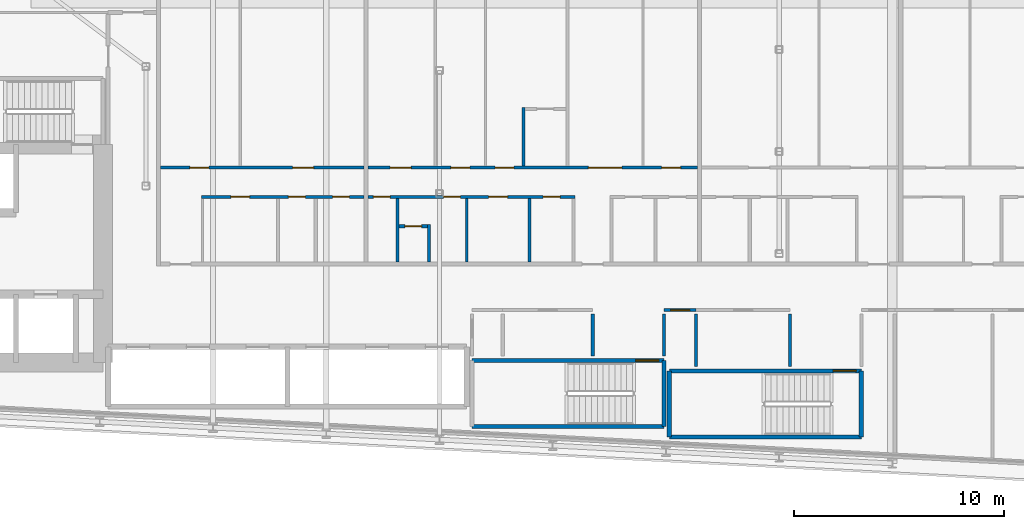
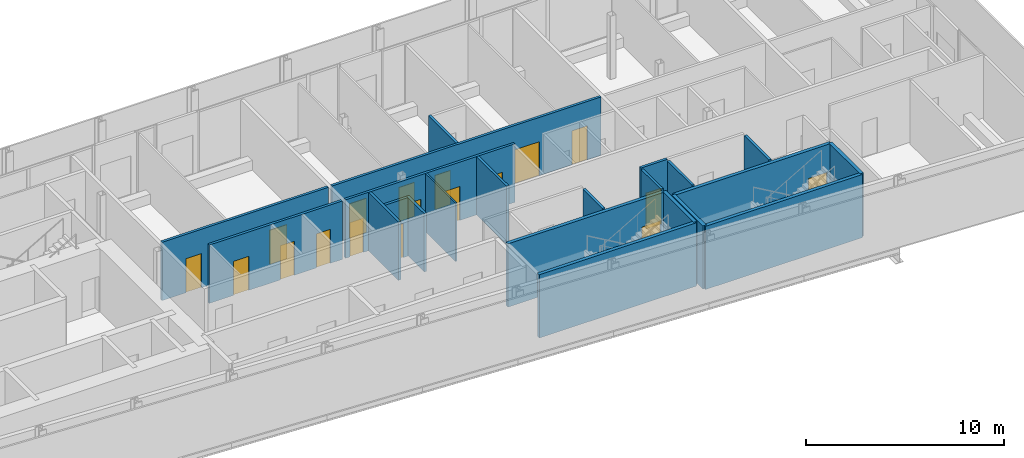
# One storey, part 15 of 28: 22 walls, 18 doors, 18 openings.
"""IFC4 building model written with IfcOpenShell, lengths in metres."""

from ifc_helpers import new_model, si_unit, direction, frame, frame_2d, origin, place, context, subcontext, project, spatial, rectangle, extrude, source, transform, mapped, material, layer, layer_set, type_object, element, fill, save


model = new_model("IFC4")

# Units and contexts
model_context = context("Model", 3, precision=1e-05, world=origin(), true_north=direction((0.0, 1.0)))
body_context = subcontext(model_context, "Body", "Model", "MODEL_VIEW")
ifc_project = project(units=[si_unit("LENGTHUNIT", "METRE"), si_unit("AREAUNIT", "SQUARE_METRE"), si_unit("VOLUMEUNIT", "CUBIC_METRE"), si_unit("PLANEANGLEUNIT", "RADIAN"), si_unit("MASSUNIT", "GRAM", prefix="KILO")], contexts=[model_context])

# Site, building, storey
site_placement = place(None, origin())
site = spatial("IfcSite", under=ifc_project, at=site_placement, CompositionType="ELEMENT")
building_placement = place(site_placement, origin())
building = spatial("IfcBuilding", under=site, at=building_placement, Name="Kheshtan School and Residences Tower", CompositionType="ELEMENT")
storey_placement = place(building_placement, frame((0.0, 0.0, 129.199951171875)))
storey = spatial("IfcBuildingStorey", under=building, at=storey_placement, Name="L30", CompositionType="ELEMENT", Elevation=129.199951171875)

# Walls
ifc_material_1 = material(Name="Gypsum board on steel studs", Category="steel")
ifc_layer_1 = layer(ifc_material_1, 0.10009765625)
ifc_layer_set_1 = layer_set([ifc_layer_1], Name="Gypsum partition 100")
wall_type_1 = type_object("IfcWallType", Name="Gypsum partition 100", PredefinedType="PARTITIONING", material=ifc_layer_set_1)
wall_1_placement = place(storey_placement, frame((70.5, 30.60009765625, 0.0), z_axis=(0.0, 0.0, 1.0), x_axis=(0.0, 1.0, 0.0)))
element("IfcWall", 1, at=wall_1_placement, inside=storey, type_object=wall_type_1, Name="Partition L30-061", PredefinedType="PARTITIONING", context=body_context, shape_type="SweptSolid", body=[
    extrude(rectangle(XDim=3.02490234375, YDim=0.10009765625, at=frame_2d((1.512451171875, 0.0))), origin(), (0.0, 0.0, 1.0), 3.60009765625),
])
ifc_material_2 = material(Name="Fire-board shaft wall system")
ifc_layer_2 = layer(ifc_material_2, 0.14990234375)
ifc_layer_set_2 = layer_set([ifc_layer_2], Name="Service room wall 150")
wall_type_2 = type_object("IfcWallType", Name="Service room wall 150", PredefinedType="PARTITIONING", material=ifc_layer_set_2)
wall_2_placement = place(storey_placement, frame((76.510009765625, 26.1201171875, 0.0), z_axis=(0.0, 0.0, 1.0), x_axis=(0.0, 1.0, 0.0)))
element("IfcWall", 2, at=wall_2_placement, inside=storey, type_object=wall_type_2, Name="Service room wall", PredefinedType="PARTITIONING", context=body_context, shape_type="SweptSolid", body=[
    extrude(rectangle(XDim=1.98486328125, YDim=0.14990234375, at=frame_2d((0.992431640625, 0.0))), origin(), (0.0, 0.0, 1.0), 3.900146484375),
])

# Wall, opening, door
wall_3_placement = place(storey_placement, frame((79.909912109375, 28.300048828125, 0.0), z_axis=(0.0, 0.0, 1.0), x_axis=(1.0, 0.0, 0.0)))
wall_3 = element("IfcWall", 3, at=wall_3_placement, inside=storey, type_object=wall_type_2, Name="Service room wall", PredefinedType="PARTITIONING", context=body_context, shape_type="SweptSolid", body=[
    extrude(rectangle(XDim=1.531005859375, YDim=0.14990234375, at=frame_2d((0.765625, 0.0))), origin(), (0.0, 0.0, 1.0), 3.900146484375),
])
opening_1_placement = place(wall_3_placement, frame((0.31591796875, 0.0, 0.0)))
opening_1 = element("IfcOpeningElement", 4, at=opening_1_placement, cuts=wall_3, Name="Opening SR90", PredefinedType="OPENING", context=body_context, shape_type="SweptSolid", body=[
    extrude(rectangle(XDim=0.89990234375, YDim=2.199951171875, at=frame_2d((0.449951171875, 1.10009765625))), frame((0.0, 0.0849609375, 0.0), z_axis=(0.0, -1.0, 0.0), x_axis=(1.0, 0.0, 0.0)), (0.0, 0.0, 1.0), 0.169921875),
])
ifc_material_3 = material(Name="Steel door leaf, galvanised", Category="steel")
door_type_1 = type_object("IfcDoorType", Name="Service room door 900 steel 90 min", OperationType="SINGLE_SWING_LEFT", PredefinedType="DOOR", material=ifc_material_3)
shared_shape_1 = source(origin(), body_context, "Body", "SweptSolid", [
    extrude(rectangle(XDim=0.89990234375, YDim=2.199951171875, at=frame_2d((0.449951171875, 1.10009765625))), frame((0.0, 0.02490234375, 0.0), z_axis=(0.0, -1.0, 0.0), x_axis=(1.0, 0.0, 0.0)), (0.0, 0.0, 1.0), 0.050048828125),
])
door_1_placement = place(opening_1_placement, origin())
door_1 = element("IfcDoor", 5, at=door_1_placement, inside=storey, type_object=door_type_1, Name="Service room door", OperationType="SINGLE_SWING_RIGHT", OverallHeight=2.199951171875, OverallWidth=0.89990234375, PredefinedType="DOOR", context=body_context, shape_type="MappedRepresentation", body=[
    mapped(shared_shape_1, transform((0.0, 0.0, 0.0), x_axis=(1.0, 0.0, 0.0), y_axis=(0.0, 1.0, 0.0), z_axis=(0.0, 0.0, 1.0), scale=1.0)),
])
fill(opening_1, door_1)

# Walls
wall_4_placement = place(storey_placement, frame((79.909912109375, 26.1201171875, 0.0), z_axis=(0.0, 0.0, 1.0), x_axis=(0.0, 1.0, 0.0)))
element("IfcWall", 6, at=wall_4_placement, inside=storey, type_object=wall_type_2, Name="Service room wall", PredefinedType="PARTITIONING", context=body_context, shape_type="SweptSolid", body=[
    extrude(rectangle(XDim=1.98486328125, YDim=0.14990234375, at=frame_2d((0.992431640625, 0.0))), origin(), (0.0, 0.0, 1.0), 3.900146484375),
])
for number, where, z_axis, x_axis, name in (
    (7, (81.44091796875, 25.6201171875, 0.0), (0.0, 0.0, 1.0), (0.0, 1.0, 0.0), "Service room wall"),
    (8, (85.919921875, 25.6201171875, 0.0), (0.0, 0.0, 1.0), (0.0, 1.0, 0.0), "Service room wall"),
):
    element("IfcWall", number, at=place(storey_placement, frame(where, z_axis=z_axis, x_axis=x_axis)), inside=storey, type_object=wall_type_2, Name=name, PredefinedType="PARTITIONING", context=body_context, shape_type="SweptSolid", body=[
        extrude(rectangle(XDim=2.48486328125, YDim=0.14990234375, at=frame_2d((1.242431640625, 0.0))), origin(), (0.0, 0.0, 1.0), 3.900146484375),
    ])
ifc_material_4 = material(Name="Concrete C40/50", Category="concrete")
ifc_layer_3 = layer(ifc_material_4, 0.199951171875)
ifc_layer_set_3 = layer_set([ifc_layer_3], Name="Stair enclosure wall 200 Concrete C40/50")
wall_type_3 = type_object("IfcWallType", Name="Stair enclosure wall 200 Concrete C40/50", PredefinedType="SHEAR", material=ifc_layer_set_3)
wall_5_placement = place(storey_placement, frame((80.159912109375, 22.25, 0.0), z_axis=(0.0, 0.0, 1.0), x_axis=(1.0, 0.0, 0.0)))
element("IfcWall", 9, at=wall_5_placement, inside=storey, type_object=wall_type_3, Name="Stair enclosure wall ST4", PredefinedType="SHEAR", context=body_context, shape_type="SweptSolid", body=[
    extrude(rectangle(XDim=9.16015625, YDim=0.199951171875, at=frame_2d((4.580078125, 0.0))), origin(), (0.0, 0.0, 1.0), 3.900146484375),
])

# Wall, opening, door
wall_6_placement = place(storey_placement, frame((80.159912109375, 25.39990234375, 0.0), z_axis=(0.0, 0.0, 1.0), x_axis=(1.0, 0.0, 0.0)))
wall_6 = element("IfcWall", 10, at=wall_6_placement, inside=storey, type_object=wall_type_3, Name="Stair enclosure wall ST4", PredefinedType="SHEAR", context=body_context, shape_type="SweptSolid", body=[
    extrude(rectangle(XDim=9.16015625, YDim=0.199951171875, at=frame_2d((4.580078125, 0.0))), origin(), (0.0, 0.0, 1.0), 3.900146484375),
])
opening_2_placement = place(wall_6_placement, frame((7.81005859375, 0.0, 0.0)))
opening_2 = element("IfcOpeningElement", 11, at=opening_2_placement, cuts=wall_6, Name="Opening ST4D", PredefinedType="OPENING", context=body_context, shape_type="SweptSolid", body=[
    extrude(rectangle(XDim=1.10009765625, YDim=2.199951171875, at=frame_2d((0.550048828125, 1.10009765625))), frame((0.0, 0.10986328125, 0.0), z_axis=(0.0, -1.0, 0.0), x_axis=(1.0, 0.0, 0.0)), (0.0, 0.0, 1.0), 0.219970703125),
])
door_type_2 = type_object("IfcDoorType", Name="Stair door 1100 steel 90 min", OperationType="SINGLE_SWING_LEFT", PredefinedType="DOOR", material=ifc_material_3)
shared_shape_2 = source(origin(), body_context, "Body", "SweptSolid", [
    extrude(rectangle(XDim=1.10009765625, YDim=2.199951171875, at=frame_2d((0.550048828125, 1.10009765625))), frame((0.0, 0.02490234375, 0.0), z_axis=(0.0, -1.0, 0.0), x_axis=(1.0, 0.0, 0.0)), (0.0, 0.0, 1.0), 0.050048828125),
])
door_2_placement = place(opening_2_placement, origin())
door_2 = element("IfcDoor", 12, at=door_2_placement, inside=storey, type_object=door_type_2, Name="Stair ST4 door", OperationType="SINGLE_SWING_LEFT", OverallHeight=2.199951171875, OverallWidth=1.10009765625, PredefinedType="DOOR", context=body_context, shape_type="MappedRepresentation", body=[
    mapped(shared_shape_2, transform((0.0, 0.0, 0.0), x_axis=(1.0, 0.0, 0.0), y_axis=(0.0, 1.0, 0.0), z_axis=(0.0, 0.0, 1.0), scale=1.0)),
])
fill(opening_2, door_2)

# Walls
for number, where, z_axis, x_axis, name in (
    (13, (80.159912109375, 22.25, 0.0), (0.0, 0.0, 1.0), (0.0, 1.0, 0.0), "Stair enclosure wall ST4"),
    (14, (89.320068359375, 22.25, 0.0), (0.0, 0.0, 1.0), (0.0, 1.0, 0.0), "Stair enclosure wall ST4"),
):
    element("IfcWall", number, at=place(storey_placement, frame(where, z_axis=z_axis, x_axis=x_axis)), inside=storey, type_object=wall_type_3, Name=name, PredefinedType="SHEAR", context=body_context, shape_type="SweptSolid", body=[
        extrude(rectangle(XDim=3.14990234375, YDim=0.199951171875, at=frame_2d((1.574951171875, 0.0))), origin(), (0.0, 0.0, 1.0), 3.900146484375),
    ])
wall_7_placement = place(storey_placement, frame((70.75, 22.75, 0.0), z_axis=(0.0, 0.0, 1.0), x_axis=(1.0, 0.0, 0.0)))
element("IfcWall", 15, at=wall_7_placement, inside=storey, type_object=wall_type_3, Name="Stair enclosure wall ST5", PredefinedType="SHEAR", context=body_context, shape_type="SweptSolid", body=[
    extrude(rectangle(XDim=9.159912109375, YDim=0.199951171875, at=frame_2d((4.580078125, 0.0))), origin(), (0.0, 0.0, 1.0), 3.900146484375),
])

# Wall, opening, door
wall_8_placement = place(storey_placement, frame((70.75, 25.89990234375, 0.0), z_axis=(0.0, 0.0, 1.0), x_axis=(1.0, 0.0, 0.0)))
wall_8 = element("IfcWall", 16, at=wall_8_placement, inside=storey, type_object=wall_type_3, Name="Stair enclosure wall ST5", PredefinedType="SHEAR", context=body_context, shape_type="SweptSolid", body=[
    extrude(rectangle(XDim=9.159912109375, YDim=0.199951171875, at=frame_2d((4.580078125, 0.0))), origin(), (0.0, 0.0, 1.0), 3.900146484375),
])
opening_3_placement = place(wall_8_placement, frame((7.81005859375, 0.0, 0.0)))
opening_3 = element("IfcOpeningElement", 17, at=opening_3_placement, cuts=wall_8, Name="Opening ST5D", PredefinedType="OPENING", context=body_context, shape_type="SweptSolid", body=[
    extrude(rectangle(XDim=1.10009765625, YDim=2.199951171875, at=frame_2d((0.550048828125, 1.10009765625))), frame((0.0, 0.10986328125, 0.0), z_axis=(0.0, -1.0, 0.0), x_axis=(1.0, 0.0, 0.0)), (0.0, 0.0, 1.0), 0.219970703125),
])
door_3_placement = place(opening_3_placement, origin())
door_3 = element("IfcDoor", 18, at=door_3_placement, inside=storey, type_object=door_type_2, Name="Stair ST5 door", OperationType="SINGLE_SWING_LEFT", OverallHeight=2.199951171875, OverallWidth=1.10009765625, PredefinedType="DOOR", context=body_context, shape_type="MappedRepresentation", body=[
    mapped(shared_shape_2, transform((0.0, 0.0, 0.0), x_axis=(1.0, 0.0, 0.0), y_axis=(0.0, 1.0, 0.0), z_axis=(0.0, 0.0, 1.0), scale=1.0)),
])
fill(opening_3, door_3)

# Wall
wall_9_placement = place(storey_placement, frame((79.909912109375, 22.75, 0.0), z_axis=(0.0, 0.0, 1.0), x_axis=(0.0, 1.0, 0.0)))
element("IfcWall", 19, at=wall_9_placement, inside=storey, type_object=wall_type_3, Name="Stair enclosure wall ST5", PredefinedType="SHEAR", context=body_context, shape_type="SweptSolid", body=[
    extrude(rectangle(XDim=3.14990234375, YDim=0.199951171875, at=frame_2d((1.574951171875, 0.0))), origin(), (0.0, 0.0, 1.0), 3.900146484375),
])

# Wall, openings, doors
ifc_material_5 = material(Name="Moisture-resistant gypsum board on steel studs", Category="steel")
ifc_layer_4 = layer(ifc_material_5, 0.14990234375)
ifc_layer_set_4 = layer_set([ifc_layer_4], Name="Wet-room partition 150")
wall_type_4 = type_object("IfcWallType", Name="Wet-room partition 150", PredefinedType="PARTITIONING", material=ifc_layer_set_4)
wall_10_placement = place(storey_placement, frame((55.89990234375, 35.10009765625, 0.0), z_axis=(0.0, 0.0, 1.0), x_axis=(1.0, 0.0, 0.0)))
wall_10 = element("IfcWall", 20, at=wall_10_placement, inside=storey, type_object=wall_type_4, Name="Partition L30-048", PredefinedType="PARTITIONING", context=body_context, shape_type="SweptSolid", body=[
    extrude(rectangle(XDim=9.7001953125, YDim=0.14990234375, at=frame_2d((4.85009765625, 0.0))), origin(), (0.0, 0.0, 1.0), 3.60009765625),
])
opening_4_placement = place(wall_10_placement, frame((1.39990234375, 0.0, 0.0)))
opening_4 = element("IfcOpeningElement", 21, at=opening_4_placement, cuts=wall_10, Name="Opening D29-002", PredefinedType="OPENING", context=body_context, shape_type="SweptSolid", body=[
    extrude(rectangle(XDim=0.89990234375, YDim=2.10009765625, at=frame_2d((0.449951171875, 1.050048828125))), frame((0.0, 0.0849609375, 0.0), z_axis=(0.0, -1.0, 0.0), x_axis=(1.0, 0.0, 0.0)), (0.0, 0.0, 1.0), 0.169921875),
])
opening_5_placement = place(wall_10_placement, frame((6.300048828125, 0.0, 0.0)))
opening_5 = element("IfcOpeningElement", 22, at=opening_5_placement, cuts=wall_10, Name="Opening D29-005", PredefinedType="OPENING", context=body_context, shape_type="SweptSolid", body=[
    extrude(rectangle(XDim=1.0, YDim=2.10009765625, at=frame_2d((0.5, 1.050048828125))), frame((0.0, 0.0849609375, 0.0), z_axis=(0.0, -1.0, 0.0), x_axis=(1.0, 0.0, 0.0)), (0.0, 0.0, 1.0), 0.169921875),
])
ifc_material_6 = material(Name="Veneered timber door leaf", Category="wood")
door_type_3 = type_object("IfcDoorType", Name="Door 1000 x 2100", OperationType="SINGLE_SWING_LEFT", PredefinedType="DOOR", material=ifc_material_6)
shared_shape_3 = source(origin(), body_context, "Body", "SweptSolid", [
    extrude(rectangle(XDim=1.0, YDim=2.10009765625, at=frame_2d((0.5, 1.050048828125))), frame((0.0, 0.02490234375, 0.0), z_axis=(0.0, -1.0, 0.0), x_axis=(1.0, 0.0, 0.0)), (0.0, 0.0, 1.0), 0.050048828125),
])
door_4_placement = place(opening_5_placement, origin())
door_4 = element("IfcDoor", 23, at=door_4_placement, inside=storey, type_object=door_type_3, Name="Door D29-005", OperationType="SINGLE_SWING_RIGHT", OverallHeight=2.10009765625, OverallWidth=1.0, PredefinedType="DOOR", context=body_context, shape_type="MappedRepresentation", body=[
    mapped(shared_shape_3, transform((0.0, 0.0, 0.0), x_axis=(1.0, 0.0, 0.0), y_axis=(0.0, 1.0, 0.0), z_axis=(0.0, 0.0, 1.0), scale=1.0)),
])
fill(opening_5, door_4)
door_type_4 = type_object("IfcDoorType", Name="Door 900 x 2100", OperationType="SINGLE_SWING_LEFT", PredefinedType="DOOR", material=ifc_material_6)
shared_shape_4 = source(origin(), body_context, "Body", "SweptSolid", [
    extrude(rectangle(XDim=0.89990234375, YDim=2.10009765625, at=frame_2d((0.449951171875, 1.050048828125))), frame((0.0, 0.02490234375, 0.0), z_axis=(0.0, -1.0, 0.0), x_axis=(1.0, 0.0, 0.0)), (0.0, 0.0, 1.0), 0.050048828125),
])
door_5_placement = place(opening_4_placement, origin())
door_5 = element("IfcDoor", 24, at=door_5_placement, inside=storey, type_object=door_type_4, Name="Door D29-002", OperationType="SINGLE_SWING_RIGHT", OverallHeight=2.10009765625, OverallWidth=0.89990234375, PredefinedType="DOOR", context=body_context, shape_type="MappedRepresentation", body=[
    mapped(shared_shape_4, transform((0.0, 0.0, 0.0), x_axis=(1.0, 0.0, 0.0), y_axis=(0.0, 1.0, 0.0), z_axis=(0.0, 0.0, 1.0), scale=1.0)),
])
fill(opening_4, door_5)

wall_11_placement = place(storey_placement, frame((57.85009765625, 33.699951171875, 0.0), z_axis=(0.0, 0.0, 1.0), x_axis=(1.0, 0.0, 0.0)))
wall_11 = element("IfcWall", 25, at=wall_11_placement, inside=storey, type_object=wall_type_4, Name="Partition L30-049", PredefinedType="PARTITIONING", context=body_context, shape_type="SweptSolid", body=[
    extrude(rectangle(XDim=7.75, YDim=0.14990234375, at=frame_2d((3.875, 0.0))), origin(), (0.0, 0.0, 1.0), 3.60009765625),
])
opening_6_placement = place(wall_11_placement, frame((6.25, 0.0, 0.0)))
opening_6 = element("IfcOpeningElement", 26, at=opening_6_placement, cuts=wall_11, Name="Opening D29-001", PredefinedType="OPENING", context=body_context, shape_type="SweptSolid", body=[
    extrude(rectangle(XDim=0.800048828125, YDim=2.10009765625, at=frame_2d((0.39990234375, 1.050048828125))), frame((0.0, 0.0849609375, 0.0), z_axis=(0.0, -1.0, 0.0), x_axis=(1.0, 0.0, 0.0)), (0.0, 0.0, 1.0), 0.169921875),
])
opening_7_placement = place(wall_11_placement, frame((1.39990234375, 0.0, 0.0)))
opening_7 = element("IfcOpeningElement", 27, at=opening_7_placement, cuts=wall_11, Name="Opening D29-004", PredefinedType="OPENING", context=body_context, shape_type="SweptSolid", body=[
    extrude(rectangle(XDim=0.89990234375, YDim=2.10009765625, at=frame_2d((0.449951171875, 1.050048828125))), frame((0.0, 0.0849609375, 0.0), z_axis=(0.0, -1.0, 0.0), x_axis=(1.0, 0.0, 0.0)), (0.0, 0.0, 1.0), 0.169921875),
])
opening_8_placement = place(wall_11_placement, frame((4.14990234375, 0.0, 0.0)))
opening_8 = element("IfcOpeningElement", 28, at=opening_8_placement, cuts=wall_11, Name="Opening D29-006", PredefinedType="OPENING", context=body_context, shape_type="SweptSolid", body=[
    extrude(rectangle(XDim=0.800048828125, YDim=2.10009765625, at=frame_2d((0.39990234375, 1.050048828125))), frame((0.0, 0.0849609375, 0.0), z_axis=(0.0, -1.0, 0.0), x_axis=(1.0, 0.0, 0.0)), (0.0, 0.0, 1.0), 0.169921875),
])
door_type_5 = type_object("IfcDoorType", Name="Door 800 x 2100", OperationType="SINGLE_SWING_LEFT", PredefinedType="DOOR", material=ifc_material_6)
shared_shape_5 = source(origin(), body_context, "Body", "SweptSolid", [
    extrude(rectangle(XDim=0.800048828125, YDim=2.10009765625, at=frame_2d((0.39990234375, 1.050048828125))), frame((0.0, 0.02490234375, 0.0), z_axis=(0.0, -1.0, 0.0), x_axis=(1.0, 0.0, 0.0)), (0.0, 0.0, 1.0), 0.050048828125),
])
door_6_placement = place(opening_6_placement, origin())
door_6 = element("IfcDoor", 29, at=door_6_placement, inside=storey, type_object=door_type_5, Name="Door D29-001", OperationType="SINGLE_SWING_LEFT", OverallHeight=2.10009765625, OverallWidth=0.800048828125, PredefinedType="DOOR", context=body_context, shape_type="MappedRepresentation", body=[
    mapped(shared_shape_5, transform((0.0, 0.0, 0.0), x_axis=(1.0, 0.0, 0.0), y_axis=(0.0, 1.0, 0.0), z_axis=(0.0, 0.0, 1.0), scale=1.0)),
])
fill(opening_6, door_6)
door_7_placement = place(opening_8_placement, origin())
door_7 = element("IfcDoor", 30, at=door_7_placement, inside=storey, type_object=door_type_5, Name="Door D29-006", OperationType="SINGLE_SWING_LEFT", OverallHeight=2.10009765625, OverallWidth=0.800048828125, PredefinedType="DOOR", context=body_context, shape_type="MappedRepresentation", body=[
    mapped(shared_shape_5, transform((0.0, 0.0, 0.0), x_axis=(1.0, 0.0, 0.0), y_axis=(0.0, 1.0, 0.0), z_axis=(0.0, 0.0, 1.0), scale=1.0)),
])
fill(opening_8, door_7)
door_8_placement = place(opening_7_placement, origin())
door_8 = element("IfcDoor", 31, at=door_8_placement, inside=storey, type_object=door_type_4, Name="Door D29-004", OperationType="SINGLE_SWING_LEFT", OverallHeight=2.10009765625, OverallWidth=0.89990234375, PredefinedType="DOOR", context=body_context, shape_type="MappedRepresentation", body=[
    mapped(shared_shape_4, transform((0.0, 0.0, 0.0), x_axis=(1.0, 0.0, 0.0), y_axis=(0.0, 1.0, 0.0), z_axis=(0.0, 0.0, 1.0), scale=1.0)),
])
fill(opening_7, door_8)

wall_12_placement = place(storey_placement, frame((65.800048828125, 33.699951171875, 0.0), z_axis=(0.0, 0.0, 1.0), x_axis=(1.0, 0.0, 0.0)))
wall_12 = element("IfcWall", 32, at=wall_12_placement, inside=storey, type_object=wall_type_4, Name="Partition L30-055", PredefinedType="PARTITIONING", context=body_context, shape_type="SweptSolid", body=[
    extrude(rectangle(XDim=9.875, YDim=0.14990234375, at=frame_2d((4.9375, 0.0))), origin(), (0.0, 0.0, 1.0), 3.60009765625),
])
opening_9_placement = place(wall_12_placement, frame((8.35009765625, 0.0, 0.0)))
opening_9 = element("IfcOpeningElement", 33, at=opening_9_placement, cuts=wall_12, Name="Opening D29-007", PredefinedType="OPENING", context=body_context, shape_type="SweptSolid", body=[
    extrude(rectangle(XDim=0.800048828125, YDim=2.10009765625, at=frame_2d((0.39990234375, 1.050048828125))), frame((0.0, 0.0849609375, 0.0), z_axis=(0.0, -1.0, 0.0), x_axis=(1.0, 0.0, 0.0)), (0.0, 0.0, 1.0), 0.169921875),
])
opening_10_placement = place(wall_12_placement, frame((5.75, 0.0, 0.0)))
opening_10 = element("IfcOpeningElement", 34, at=opening_10_placement, cuts=wall_12, Name="Opening D29-014", PredefinedType="OPENING", context=body_context, shape_type="SweptSolid", body=[
    extrude(rectangle(XDim=0.89990234375, YDim=2.10009765625, at=frame_2d((0.449951171875, 1.050048828125))), frame((0.0, 0.0849609375, 0.0), z_axis=(0.0, -1.0, 0.0), x_axis=(1.0, 0.0, 0.0)), (0.0, 0.0, 1.0), 0.169921875),
])
opening_11_placement = place(wall_12_placement, frame((3.60009765625, 0.0, 0.0)))
opening_11 = element("IfcOpeningElement", 35, at=opening_11_placement, cuts=wall_12, Name="Opening D29-016", PredefinedType="OPENING", context=body_context, shape_type="SweptSolid", body=[
    extrude(rectangle(XDim=0.800048828125, YDim=2.10009765625, at=frame_2d((0.39990234375, 1.050048828125))), frame((0.0, 0.0849609375, 0.0), z_axis=(0.0, -1.0, 0.0), x_axis=(1.0, 0.0, 0.0)), (0.0, 0.0, 1.0), 0.169921875),
])
opening_12_placement = place(wall_12_placement, frame((0.25, 0.0, 0.0)))
opening_12 = element("IfcOpeningElement", 36, at=opening_12_placement, cuts=wall_12, Name="Opening D29-020", PredefinedType="OPENING", context=body_context, shape_type="SweptSolid", body=[
    extrude(rectangle(XDim=0.800048828125, YDim=2.10009765625, at=frame_2d((0.39990234375, 1.050048828125))), frame((0.0, 0.0849609375, 0.0), z_axis=(0.0, -1.0, 0.0), x_axis=(1.0, 0.0, 0.0)), (0.0, 0.0, 1.0), 0.169921875),
])
door_9_placement = place(opening_9_placement, origin())
door_9 = element("IfcDoor", 37, at=door_9_placement, inside=storey, type_object=door_type_5, Name="Door D29-007", OperationType="SINGLE_SWING_LEFT", OverallHeight=2.10009765625, OverallWidth=0.800048828125, PredefinedType="DOOR", context=body_context, shape_type="MappedRepresentation", body=[
    mapped(shared_shape_5, transform((0.0, 0.0, 0.0), x_axis=(1.0, 0.0, 0.0), y_axis=(0.0, 1.0, 0.0), z_axis=(0.0, 0.0, 1.0), scale=1.0)),
])
fill(opening_9, door_9)
door_10_placement = place(opening_11_placement, origin())
door_10 = element("IfcDoor", 38, at=door_10_placement, inside=storey, type_object=door_type_5, Name="Door D29-016", OperationType="SINGLE_SWING_LEFT", OverallHeight=2.10009765625, OverallWidth=0.800048828125, PredefinedType="DOOR", context=body_context, shape_type="MappedRepresentation", body=[
    mapped(shared_shape_5, transform((0.0, 0.0, 0.0), x_axis=(1.0, 0.0, 0.0), y_axis=(0.0, 1.0, 0.0), z_axis=(0.0, 0.0, 1.0), scale=1.0)),
])
fill(opening_11, door_10)
door_11_placement = place(opening_12_placement, origin())
door_11 = element("IfcDoor", 39, at=door_11_placement, inside=storey, type_object=door_type_5, Name="Door D29-020", OperationType="SINGLE_SWING_LEFT", OverallHeight=2.10009765625, OverallWidth=0.800048828125, PredefinedType="DOOR", context=body_context, shape_type="MappedRepresentation", body=[
    mapped(shared_shape_5, transform((0.0, 0.0, 0.0), x_axis=(1.0, 0.0, 0.0), y_axis=(0.0, 1.0, 0.0), z_axis=(0.0, 0.0, 1.0), scale=1.0)),
])
fill(opening_12, door_11)
door_12_placement = place(opening_10_placement, origin())
door_12 = element("IfcDoor", 40, at=door_12_placement, inside=storey, type_object=door_type_4, Name="Door D29-014", OperationType="SINGLE_SWING_LEFT", OverallHeight=2.10009765625, OverallWidth=0.89990234375, PredefinedType="DOOR", context=body_context, shape_type="MappedRepresentation", body=[
    mapped(shared_shape_4, transform((0.0, 0.0, 0.0), x_axis=(1.0, 0.0, 0.0), y_axis=(0.0, 1.0, 0.0), z_axis=(0.0, 0.0, 1.0), scale=1.0)),
])
fill(opening_10, door_12)

wall_13_placement = place(storey_placement, frame((65.800048828125, 35.10009765625, 0.0), z_axis=(0.0, 0.0, 1.0), x_axis=(1.0, 0.0, 0.0)))
wall_13 = element("IfcWall", 41, at=wall_13_placement, inside=storey, type_object=wall_type_4, Name="Partition L30-056", PredefinedType="PARTITIONING", context=body_context, shape_type="SweptSolid", body=[
    extrude(rectangle(XDim=15.699951171875, YDim=0.14990234375, at=frame_2d((7.85009765625, 0.0))), origin(), (0.0, 0.0, 1.0), 3.60009765625),
])
opening_13_placement = place(wall_13_placement, frame((3.949951171875, 0.0, 0.0)))
opening_13 = element("IfcOpeningElement", 42, at=opening_13_placement, cuts=wall_13, Name="Opening D29-009", PredefinedType="OPENING", context=body_context, shape_type="SweptSolid", body=[
    extrude(rectangle(XDim=0.89990234375, YDim=2.10009765625, at=frame_2d((0.449951171875, 1.050048828125))), frame((0.0, 0.0849609375, 0.0), z_axis=(0.0, -1.0, 0.0), x_axis=(1.0, 0.0, 0.0)), (0.0, 0.0, 1.0), 0.169921875),
])
opening_14_placement = place(wall_13_placement, frame((14.0, 0.0, 0.0)))
opening_14 = element("IfcOpeningElement", 43, at=opening_14_placement, cuts=wall_13, Name="Opening D29-010", PredefinedType="OPENING", context=body_context, shape_type="SweptSolid", body=[
    extrude(rectangle(XDim=0.89990234375, YDim=2.10009765625, at=frame_2d((0.449951171875, 1.050048828125))), frame((0.0, 0.0849609375, 0.0), z_axis=(0.0, -1.0, 0.0), x_axis=(1.0, 0.0, 0.0)), (0.0, 0.0, 1.0), 0.169921875),
])
opening_15_placement = place(wall_13_placement, frame((1.050048828125, 0.0, 0.0)))
opening_15 = element("IfcOpeningElement", 44, at=opening_15_placement, cuts=wall_13, Name="Opening D29-015", PredefinedType="OPENING", context=body_context, shape_type="SweptSolid", body=[
    extrude(rectangle(XDim=1.0, YDim=2.10009765625, at=frame_2d((0.5, 1.050048828125))), frame((0.0, 0.0849609375, 0.0), z_axis=(0.0, -1.0, 0.0), x_axis=(1.0, 0.0, 0.0)), (0.0, 0.0, 1.0), 0.169921875),
])
opening_16_placement = place(wall_13_placement, frame((10.5, 0.0, 0.0)))
opening_16 = element("IfcOpeningElement", 45, at=opening_16_placement, cuts=wall_13, Name="Opening D29-018", PredefinedType="OPENING", context=body_context, shape_type="SweptSolid", body=[
    extrude(rectangle(XDim=1.60009765625, YDim=2.10009765625, at=frame_2d((0.800048828125, 1.050048828125))), frame((0.0, 0.0849609375, 0.0), z_axis=(0.0, -1.0, 0.0), x_axis=(1.0, 0.0, 0.0)), (0.0, 0.0, 1.0), 0.169921875),
])
opening_17_placement = place(wall_13_placement, frame((6.050048828125, 0.0, 0.0)))
opening_17 = element("IfcOpeningElement", 46, at=opening_17_placement, cuts=wall_13, Name="Opening D29-019", PredefinedType="OPENING", context=body_context, shape_type="SweptSolid", body=[
    extrude(rectangle(XDim=0.89990234375, YDim=2.10009765625, at=frame_2d((0.449951171875, 1.050048828125))), frame((0.0, 0.0849609375, 0.0), z_axis=(0.0, -1.0, 0.0), x_axis=(1.0, 0.0, 0.0)), (0.0, 0.0, 1.0), 0.169921875),
])
door_13_placement = place(opening_15_placement, origin())
door_13 = element("IfcDoor", 47, at=door_13_placement, inside=storey, type_object=door_type_3, Name="Door D29-015", OperationType="SINGLE_SWING_RIGHT", OverallHeight=2.10009765625, OverallWidth=1.0, PredefinedType="DOOR", context=body_context, shape_type="MappedRepresentation", body=[
    mapped(shared_shape_3, transform((0.0, 0.0, 0.0), x_axis=(1.0, 0.0, 0.0), y_axis=(0.0, 1.0, 0.0), z_axis=(0.0, 0.0, 1.0), scale=1.0)),
])
fill(opening_15, door_13)
door_14_placement = place(opening_13_placement, origin())
door_14 = element("IfcDoor", 48, at=door_14_placement, inside=storey, type_object=door_type_4, Name="Door D29-009", OperationType="SINGLE_SWING_RIGHT", OverallHeight=2.10009765625, OverallWidth=0.89990234375, PredefinedType="DOOR", context=body_context, shape_type="MappedRepresentation", body=[
    mapped(shared_shape_4, transform((0.0, 0.0, 0.0), x_axis=(1.0, 0.0, 0.0), y_axis=(0.0, 1.0, 0.0), z_axis=(0.0, 0.0, 1.0), scale=1.0)),
])
fill(opening_13, door_14)
door_15_placement = place(opening_14_placement, origin())
door_15 = element("IfcDoor", 49, at=door_15_placement, inside=storey, type_object=door_type_4, Name="Door D29-010", OperationType="SINGLE_SWING_RIGHT", OverallHeight=2.10009765625, OverallWidth=0.89990234375, PredefinedType="DOOR", context=body_context, shape_type="MappedRepresentation", body=[
    mapped(shared_shape_4, transform((0.0, 0.0, 0.0), x_axis=(1.0, 0.0, 0.0), y_axis=(0.0, 1.0, 0.0), z_axis=(0.0, 0.0, 1.0), scale=1.0)),
])
fill(opening_14, door_15)
door_16_placement = place(opening_17_placement, origin())
door_16 = element("IfcDoor", 50, at=door_16_placement, inside=storey, type_object=door_type_4, Name="Door D29-019", OperationType="SINGLE_SWING_LEFT", OverallHeight=2.10009765625, OverallWidth=0.89990234375, PredefinedType="DOOR", context=body_context, shape_type="MappedRepresentation", body=[
    mapped(shared_shape_4, transform((0.0, 0.0, 0.0), x_axis=(1.0, 0.0, 0.0), y_axis=(0.0, 1.0, 0.0), z_axis=(0.0, 0.0, 1.0), scale=1.0)),
])
fill(opening_17, door_16)
door_type_6 = type_object("IfcDoorType", Name="Double door 1600 x 2100", OperationType="DOUBLE_DOOR_SINGLE_SWING", PredefinedType="DOOR", material=ifc_material_6)
shared_shape_6 = source(origin(), body_context, "Body", "SweptSolid", [
    extrude(rectangle(XDim=1.60009765625, YDim=2.10009765625, at=frame_2d((0.800048828125, 1.050048828125))), frame((0.0, 0.02490234375, 0.0), z_axis=(0.0, -1.0, 0.0), x_axis=(1.0, 0.0, 0.0)), (0.0, 0.0, 1.0), 0.050048828125),
])
door_17_placement = place(opening_16_placement, origin())
door_17 = element("IfcDoor", 51, at=door_17_placement, inside=storey, type_object=door_type_6, Name="Door D29-018", OperationType="DOUBLE_DOOR_SINGLE_SWING", OverallHeight=2.10009765625, OverallWidth=1.60009765625, PredefinedType="DOOR", context=body_context, shape_type="MappedRepresentation", body=[
    mapped(shared_shape_6, transform((0.0, 0.0, 0.0), x_axis=(1.0, 0.0, 0.0), y_axis=(0.0, 1.0, 0.0), z_axis=(0.0, 0.0, 1.0), scale=1.0)),
])
fill(opening_16, door_17)

# Wall
wall_14_placement = place(storey_placement, frame((67.199951171875, 30.60009765625, 0.0), z_axis=(0.0, 0.0, 1.0), x_axis=(0.0, 1.0, 0.0)))
element("IfcWall", 52, at=wall_14_placement, inside=storey, type_object=wall_type_4, Name="Partition L30-057", PredefinedType="PARTITIONING", context=body_context, shape_type="SweptSolid", body=[
    extrude(rectangle(XDim=3.02490234375, YDim=0.14990234375, at=frame_2d((1.512451171875, 0.0))), origin(), (0.0, 0.0, 1.0), 3.60009765625),
])

# Wall, opening, door
wall_15_placement = place(storey_placement, frame((67.27490234375, 32.300048828125, 0.0), z_axis=(0.0, 0.0, 1.0), x_axis=(1.0, 0.0, 0.0)))
wall_15 = element("IfcWall", 53, at=wall_15_placement, inside=storey, type_object=wall_type_4, Name="Partition L30-058", PredefinedType="PARTITIONING", context=body_context, shape_type="SweptSolid", body=[
    extrude(rectangle(XDim=1.35009765625, YDim=0.14990234375, at=frame_2d((0.675048828125, 0.0))), origin(), (0.0, 0.0, 1.0), 3.60009765625),
])
opening_18_placement = place(wall_15_placement, frame((0.27490234375, 0.0, 0.0)))
opening_18 = element("IfcOpeningElement", 54, at=opening_18_placement, cuts=wall_15, Name="Opening D29-017", PredefinedType="OPENING", context=body_context, shape_type="SweptSolid", body=[
    extrude(rectangle(XDim=0.800048828125, YDim=2.10009765625, at=frame_2d((0.39990234375, 1.050048828125))), frame((0.0, 0.0849609375, 0.0), z_axis=(0.0, -1.0, 0.0), x_axis=(1.0, 0.0, 0.0)), (0.0, 0.0, 1.0), 0.169921875),
])
door_18_placement = place(opening_18_placement, origin())
door_18 = element("IfcDoor", 55, at=door_18_placement, inside=storey, type_object=door_type_5, Name="Door D29-017", OperationType="SINGLE_SWING_RIGHT", OverallHeight=2.10009765625, OverallWidth=0.800048828125, PredefinedType="DOOR", context=body_context, shape_type="MappedRepresentation", body=[
    mapped(shared_shape_5, transform((0.0, 0.0, 0.0), x_axis=(1.0, 0.0, 0.0), y_axis=(0.0, 1.0, 0.0), z_axis=(0.0, 0.0, 1.0), scale=1.0)),
])
fill(opening_18, door_18)

# Walls
wall_16_placement = place(storey_placement, frame((68.699951171875, 30.60009765625, 0.0), z_axis=(0.0, 0.0, 1.0), x_axis=(0.0, 1.0, 0.0)))
element("IfcWall", 56, at=wall_16_placement, inside=storey, type_object=wall_type_4, Name="Partition L30-059", PredefinedType="PARTITIONING", context=body_context, shape_type="SweptSolid", body=[
    extrude(rectangle(XDim=1.77490234375, YDim=0.14990234375, at=frame_2d((0.887451171875, 0.0))), origin(), (0.0, 0.0, 1.0), 3.60009765625),
])
wall_17_placement = place(storey_placement, frame((73.199951171875, 35.175048828125, 0.0), z_axis=(0.0, 0.0, 1.0), x_axis=(0.0, 1.0, 0.0)))
element("IfcWall", 57, at=wall_17_placement, inside=storey, type_object=wall_type_4, Name="Partition L30-063", PredefinedType="PARTITIONING", context=body_context, shape_type="SweptSolid", body=[
    extrude(rectangle(XDim=2.800048828125, YDim=0.14990234375, at=frame_2d((1.39990234375, 0.0))), origin(), (0.0, 0.0, 1.0), 3.60009765625),
])
wall_18_placement = place(storey_placement, frame((73.5, 30.60009765625, 0.0), z_axis=(0.0, 0.0, 1.0), x_axis=(0.0, 1.0, 0.0)))
element("IfcWall", 58, at=wall_18_placement, inside=storey, type_object=wall_type_4, Name="Partition L30-065", PredefinedType="PARTITIONING", context=body_context, shape_type="SweptSolid", body=[
    extrude(rectangle(XDim=3.02490234375, YDim=0.14990234375, at=frame_2d((1.512451171875, 0.0))), origin(), (0.0, 0.0, 1.0), 3.60009765625),
])

save(model, "model.ifc")
